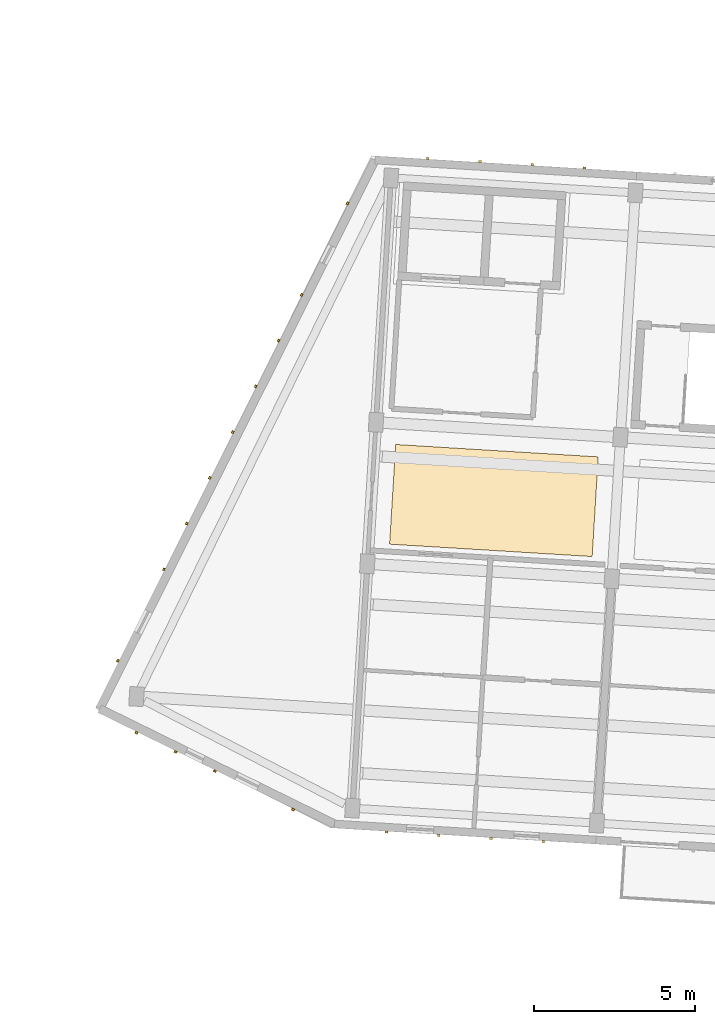
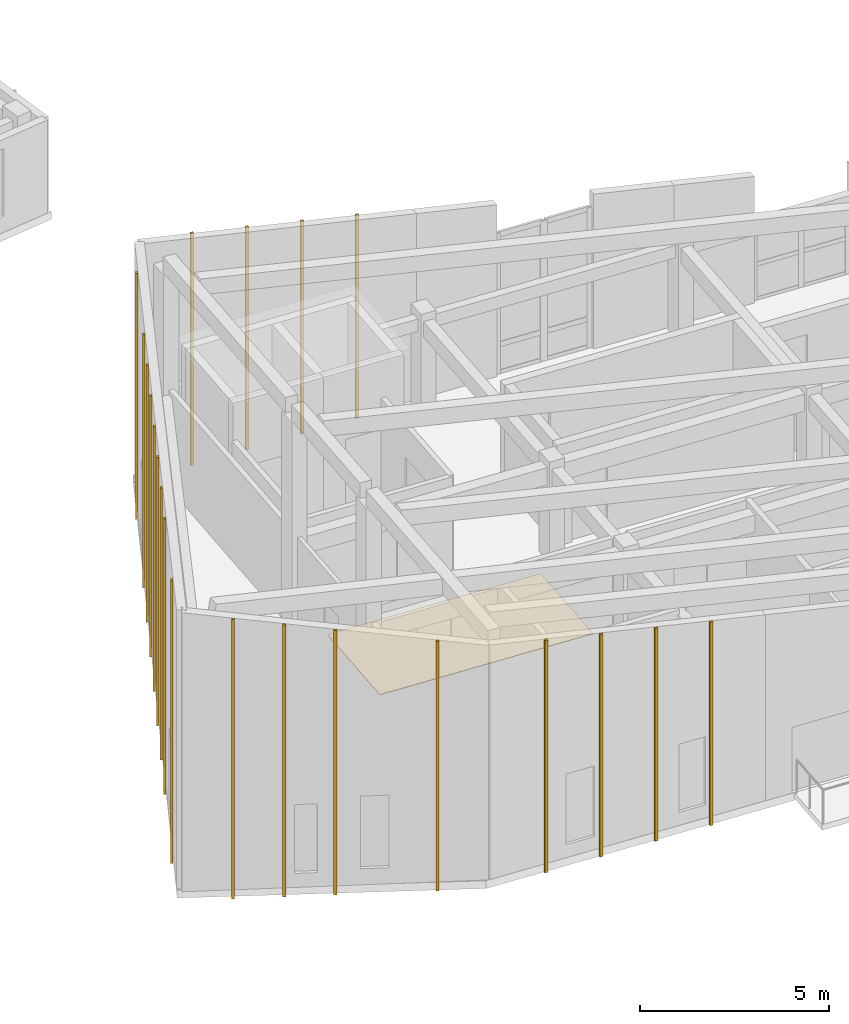
# One storey, part 30 of 45: 22 coverings.
"""IFC4 building model written with IfcOpenShell, lengths in metres."""

import ifcopenshell
import ifcopenshell.guid

model = None  # the IFC model being written
_history = None  # IfcOwnerHistory: only IFC2X3 demands one
_inside = {}  # id of a spatial element -> (the spatial element, [elements in it])
_under = {}  # id of a project, library or spatial element -> (it, [spatial elements below it])
_declared = {}  # id of a project -> (the project, [libraries it declares])
_typed = {}  # id of a type object -> (the type object, [elements of that type])
_made_of = {}  # id of a material, layer set ... -> (it, [elements and type objects made of it])


def new_model(schema):
    """Start an empty IFC model of exactly this schema.

    Asked for "IFC4X3", IfcOpenShell would pick the latest addendum, in which some entities
    have other attributes; the version numbers below select the first issue.
    IFC2X3 requires an IfcOwnerHistory on every rooted entity: one is made here for all.
    """
    global model, _history
    if schema == "IFC4X3":
        model = ifcopenshell.file(schema_version=(4, 3, 0, 0))
    else:
        model = ifcopenshell.file(schema=schema)
    _inside.clear()
    _under.clear()
    _declared.clear()
    _typed.clear()
    _made_of.clear()
    _history = None
    if model.schema == "IFC2X3":
        org = make("IfcOrganization", Name="unknown")
        user = make(
            "IfcPersonAndOrganization",
            ThePerson=make("IfcPerson", FamilyName="unknown"),
            TheOrganization=org,
        )
        app = make(
            "IfcApplication",
            ApplicationDeveloper=org,
            Version="unknown",
            ApplicationFullName="unknown",
            ApplicationIdentifier="unknown",
        )
        _history = make(
            "IfcOwnerHistory",
            OwningUser=user,
            OwningApplication=app,
            ChangeAction="ADDED",
            CreationDate=0,
        )
    return model


def make(cls, **values):
    """One entity of the class cls with the attributes given. An attribute that is None is left unset."""
    return model.create_entity(
        cls, **{name: value for name, value in values.items() if value is not None}
    )


def rooted(cls, **values):
    """An entity with a GlobalId (a new one), such as an element, a storey or a relation."""
    return make(cls, GlobalId=ifcopenshell.guid.new(), OwnerHistory=_history, **values)


def si_unit(unit_type, name, prefix=None):
    """IfcSIUnit, for example si_unit("LENGTHUNIT", "METRE", prefix="MILLI")."""
    return make("IfcSIUnit", UnitType=unit_type, Prefix=prefix, Name=name)


def assignment(units):
    """IfcUnitAssignment: the units of a project."""
    return None if units is None else make("IfcUnitAssignment", Units=units)


def point(xyz):
    """IfcCartesianPoint."""
    return None if xyz is None else make("IfcCartesianPoint", Coordinates=xyz)


def direction(xyz):
    """IfcDirection."""
    return None if xyz is None else make("IfcDirection", DirectionRatios=xyz)


def frame(location, z_axis=None, x_axis=None):
    """IfcAxis2Placement3D, a coordinate frame: its origin and axes. An axis left out is left unset."""
    return make(
        "IfcAxis2Placement3D",
        Location=point(location),
        Axis=direction(z_axis),
        RefDirection=direction(x_axis),
    )


def frame_2d(location, x_axis=None):
    """IfcAxis2Placement2D, a coordinate frame in the plane: its origin and x axis."""
    return make(
        "IfcAxis2Placement2D", Location=point(location), RefDirection=direction(x_axis)
    )


def origin():
    """The frame at (0, 0, 0) with its axes left unset."""
    return frame((0.0, 0.0, 0.0))


def origin_2d():
    """The frame at (0, 0) in the plane with its x axis left unset."""
    return frame_2d((0.0, 0.0))


def place(relative_to, where):
    """IfcLocalPlacement: puts the frame where relative to a parent placement (None: the world)."""
    return make(
        "IfcLocalPlacement", PlacementRelTo=relative_to, RelativePlacement=where
    )


def context(
    kind, dimensions, precision=None, world=None, true_north=None, identifier=None
):
    """IfcGeometricRepresentationContext, for example the 3D "Model" context."""
    return make(
        "IfcGeometricRepresentationContext",
        ContextIdentifier=identifier,
        ContextType=kind,
        CoordinateSpaceDimension=dimensions,
        Precision=precision,
        WorldCoordinateSystem=world,
        TrueNorth=true_north,
    )


def subcontext(parent, identifier, kind, view, scale=None):
    """IfcGeometricRepresentationSubContext, for example "Body" below "Model"."""
    return make(
        "IfcGeometricRepresentationSubContext",
        ContextIdentifier=identifier,
        ContextType=kind,
        ParentContext=parent,
        TargetScale=scale,
        TargetView=view,
    )


def project(units=None, contexts=None):
    """IfcProject with its units and contexts."""
    return rooted(
        "IfcProject",
        Name="project",
        RepresentationContexts=contexts,
        UnitsInContext=assignment(units),
    )


def spatial(cls, under=None, at=None, **own):
    """A site, building, storey or space (cls), placed at a placement, below another one or the project."""
    s = rooted(cls, ObjectPlacement=at, **own)
    if under is not None:
        _under.setdefault(under.id(), (under, []))[1].append(s)
    return s


def polyline(points):
    """IfcPolyline through the points."""
    return make("IfcPolyline", Points=[point(p) for p in points])


def profile(cls, at=None, kind="AREA", **sizes):
    """A parametric profile (cls). Its sizes go by their IFC names, for example OverallWidth=200.0."""
    return make(cls, ProfileType=kind, Position=at, **sizes)


def rectangle(**sizes):
    """IfcRectangleProfileDef."""
    return profile("IfcRectangleProfileDef", **sizes)


def outline(outer, holes=None, kind="AREA"):
    """IfcArbitraryClosedProfileDef: a profile drawn as a closed curve; with holes, ...WithVoids."""
    if holes is None:
        return make("IfcArbitraryClosedProfileDef", ProfileType=kind, OuterCurve=outer)
    return make(
        "IfcArbitraryProfileDefWithVoids",
        ProfileType=kind,
        OuterCurve=outer,
        InnerCurves=holes,
    )


def extrude(swept, where, along, depth):
    """IfcExtrudedAreaSolid: the profile swept, set in the frame where, extruded along a direction by depth."""
    return make(
        "IfcExtrudedAreaSolid",
        SweptArea=swept,
        Position=where,
        ExtrudedDirection=direction(along),
        Depth=depth,
    )


def shape(context_of_items, identifier, shape_type, items):
    """IfcShapeRepresentation: the items that make up one representation, for example the "Body"."""
    return make(
        "IfcShapeRepresentation",
        ContextOfItems=context_of_items,
        RepresentationIdentifier=identifier,
        RepresentationType=shape_type,
        Items=items,
    )


def material(Name=None, Category=None):
    """IfcMaterial."""
    return make("IfcMaterial", Name=Name, Category=Category)


def layer(
    of_material, thickness, ventilated=None, Name=None, Category=None, Priority=None
):
    """IfcMaterialLayer: one layer of a wall or slab, of a material (None: an air gap)."""
    return make(
        "IfcMaterialLayer",
        Material=of_material,
        LayerThickness=thickness,
        IsVentilated=ventilated,
        Name=Name,
        Category=Category,
        Priority=Priority,
    )


def layer_set(layers, Name=None):
    """IfcMaterialLayerSet."""
    return make("IfcMaterialLayerSet", MaterialLayers=layers, LayerSetName=Name)


def made_of(thing, what):
    """Note that an element or type object is made of a material, layer set ...; save() writes the relation."""
    if what is not None:
        _made_of.setdefault(what.id(), (what, []))[1].append(thing)
    return thing


def type_object(cls, material=None, **own):
    """A type object (cls), such as IfcWallType, which elements share."""
    return made_of(rooted(cls, **own), material)


def element(
    cls,
    number,
    at=None,
    inside=None,
    cuts=None,
    type_object=None,
    material=None,
    context=None,
    identifier="Body",
    shape_type=None,
    held_by="IfcProductDefinitionShape",
    body=None,
    shapes=None,
    **own,
):
    """One element of the class cls, such as IfcWall. Its Tag is "e" and its number.

    at: its placement. inside: the storey or other place that contains it. cuts: it is an
    opening in that element (IfcRelVoidsElement). A single representation is given by context,
    identifier, shape_type and body (its items); several are given by shapes. held_by: the class
    of the entity that holds the representations. save() writes the other relations.
    """
    e = rooted(cls, Tag="e%d" % number, ObjectPlacement=at, **own)
    if body is not None:
        shapes = [shape(context, identifier, shape_type, body)]
    if shapes is not None:
        e.Representation = make(held_by, Representations=shapes)
    if inside is not None:
        _inside.setdefault(inside.id(), (inside, []))[1].append(e)
    if cuts is not None:
        rooted(
            "IfcRelVoidsElement", RelatingBuildingElement=cuts, RelatedOpeningElement=e
        )
    if type_object is not None:
        _typed.setdefault(type_object.id(), (type_object, []))[1].append(e)
    return made_of(e, material)


def aggregate(whole, parts):
    """IfcRelAggregates: a whole, such as a stair, and the parts it consists of."""
    return rooted("IfcRelAggregates", RelatingObject=whole, RelatedObjects=parts)


def save(model, path):
    """Write the relations noted so far, then the file.

    IfcRelAggregates (storeys below a building ...), IfcRelContainedInSpatialStructure (elements
    in a storey), IfcRelDefinesByType, IfcRelAssociatesMaterial and IfcRelDeclares: one each for
    every whole, place, type object, material and project.
    """
    for whole, parts in _under.values():
        aggregate(whole, parts)
    for where, things in _inside.values():
        rooted(
            "IfcRelContainedInSpatialStructure",
            RelatedElements=things,
            RelatingStructure=where,
        )
    for kind, things in _typed.values():
        rooted("IfcRelDefinesByType", RelatedObjects=things, RelatingType=kind)
    for what, things in _made_of.values():
        rooted("IfcRelAssociatesMaterial", RelatedObjects=things, RelatingMaterial=what)
    for by, libraries in _declared.values():
        rooted("IfcRelDeclares", RelatingContext=by, RelatedDefinitions=libraries)
    model.write(path)


model = new_model("IFC4")

# Units and contexts
model_context = context("Model", 3, precision=1e-05, world=origin(), true_north=direction((0.0, 1.0)))
body_context = subcontext(model_context, "Body", "Model", "MODEL_VIEW")
ifc_project = project(units=[si_unit("LENGTHUNIT", "METRE"), si_unit("AREAUNIT", "SQUARE_METRE"), si_unit("VOLUMEUNIT", "CUBIC_METRE"), si_unit("PLANEANGLEUNIT", "RADIAN"), si_unit("MASSUNIT", "GRAM", prefix="KILO")], contexts=[model_context])

# Site, building, storey
site_placement = place(None, origin())
site = spatial("IfcSite", under=ifc_project, at=site_placement, CompositionType="ELEMENT")
building_placement = place(site_placement, origin())
building = spatial("IfcBuilding", under=site, at=building_placement, Name="Kestramere Prow Commons", CompositionType="ELEMENT")
storey_placement = place(building_placement, frame((0.0, 0.0, 31.14990234375)))
storey = spatial("IfcBuildingStorey", under=building, at=storey_placement, Name="L09", CompositionType="ELEMENT", Elevation=31.14990234375)

# Coverings
ifc_material_1 = material(Name="Weathered Zinc-Titanium Standing-Seam Cladding")
ifc_layer_1 = layer(ifc_material_1, 0.074951171875)
ifc_layer_set_1 = layer_set([ifc_layer_1], Name="Weathered Zinc-Titanium Standing-Seam Cladding")
covering_type_1 = type_object("IfcCoveringType", Name="COV-CLAD-SEAM", PredefinedType="CLADDING", material=ifc_layer_set_1)
covering_1_placement = place(storey_placement, frame((65.422607421875, 45.458984375, -0.25), z_axis=(0.0, 0.0, 1.0), x_axis=(-0.998134798422, 0.061048539535, 0.0)))
element("IfcCovering", 1, at=covering_1_placement, inside=storey, type_object=covering_type_1, Name="EW-C-L09-S-0 Standing-Seam Rib 1", PredefinedType="CLADDING", context=body_context, shape_type="SweptSolid", body=[
    extrude(rectangle(XDim=0.0849609375, YDim=0.06494140625, at=origin_2d()), origin(), (0.0, 0.0, 1.0), 6.560546875),
])
covering_2_placement = place(storey_placement, frame((63.800537109375, 45.55810546875, -0.249755859375), z_axis=(0.0, 0.0, 1.0), x_axis=(-0.998134798422, 0.061048539535, 0.0)))
element("IfcCovering", 2, at=covering_2_placement, inside=storey, type_object=covering_type_1, Name="EW-C-L09-S-0 Standing-Seam Rib 2", PredefinedType="CLADDING", context=body_context, shape_type="SweptSolid", body=[
    extrude(rectangle(XDim=0.0849609375, YDim=0.06494140625, at=origin_2d()), origin(), (0.0, 0.0, 1.0), 6.873046875),
])
covering_3_placement = place(storey_placement, frame((62.178466796875, 45.657470703125, -0.25), z_axis=(0.0, 0.0, 1.0), x_axis=(-0.998134798422, 0.061048539535, 0.0)))
element("IfcCovering", 3, at=covering_3_placement, inside=storey, type_object=covering_type_1, Name="EW-C-L09-S-0 Standing-Seam Rib 3", PredefinedType="CLADDING", context=body_context, shape_type="SweptSolid", body=[
    extrude(rectangle(XDim=0.0849609375, YDim=0.06494140625, at=origin_2d()), origin(), (0.0, 0.0, 1.0), 7.185791015625),
])
for number, where, z_axis, x_axis, name in (
    (4, (60.556640625, 45.756591796875, -0.25), (0.0, 0.0, 1.0), (-0.998134798422, 0.061048539535, 0.0), "EW-C-L09-S-0 Standing-Seam Rib 4"),
    (5, (61.8359375, 66.672607421875, -0.25), (0.0, 0.0, 1.0), (0.998134798422, -0.061048539535, 0.0), "EW-C-L09-N-0 Standing-Seam Rib 1"),
):
    element("IfcCovering", number, at=place(storey_placement, frame(where, z_axis=z_axis, x_axis=x_axis)), inside=storey, type_object=covering_type_1, Name=name, PredefinedType="CLADDING", context=body_context, shape_type="SweptSolid", body=[
        extrude(rectangle(XDim=0.0849609375, YDim=0.06494140625, at=origin_2d()), origin(), (0.0, 0.0, 1.0), 7.498291015625),
    ])
covering_4_placement = place(storey_placement, frame((63.457763671875, 66.5732421875, -0.25), z_axis=(0.0, 0.0, 1.0), x_axis=(0.998134798422, -0.061048539535, 0.0)))
element("IfcCovering", 6, at=covering_4_placement, inside=storey, type_object=covering_type_1, Name="EW-C-L09-N-0 Standing-Seam Rib 2", PredefinedType="CLADDING", context=body_context, shape_type="SweptSolid", body=[
    extrude(rectangle(XDim=0.0849609375, YDim=0.06494140625, at=origin_2d()), origin(), (0.0, 0.0, 1.0), 7.185791015625),
])
covering_5_placement = place(storey_placement, frame((65.079833984375, 66.47412109375, -0.249755859375), z_axis=(0.0, 0.0, 1.0), x_axis=(0.998134798422, -0.061048539535, 0.0)))
element("IfcCovering", 7, at=covering_5_placement, inside=storey, type_object=covering_type_1, Name="EW-C-L09-N-0 Standing-Seam Rib 3", PredefinedType="CLADDING", context=body_context, shape_type="SweptSolid", body=[
    extrude(rectangle(XDim=0.0849609375, YDim=0.06494140625, at=origin_2d()), origin(), (0.0, 0.0, 1.0), 6.873046875),
])
covering_6_placement = place(storey_placement, frame((66.70166015625, 66.375, -0.25), z_axis=(0.0, 0.0, 1.0), x_axis=(0.998134798422, -0.061048539535, 0.0)))
element("IfcCovering", 8, at=covering_6_placement, inside=storey, type_object=covering_type_1, Name="EW-C-L09-N-0 Standing-Seam Rib 4", PredefinedType="CLADDING", context=body_context, shape_type="SweptSolid", body=[
    extrude(rectangle(XDim=0.0849609375, YDim=0.06494140625, at=origin_2d()), origin(), (0.0, 0.0, 1.0), 6.560546875),
])
covering_7_placement = place(storey_placement, frame((57.6572265625, 46.458251953125, -0.25), z_axis=(0.0, 0.0, 1.0), x_axis=(-0.897770965065, 0.440462591245, 0.0)))
element("IfcCovering", 9, at=covering_7_placement, inside=storey, type_object=covering_type_1, Name="EW-C-L09-PRW-S Standing-Seam Rib 1", PredefinedType="CLADDING", context=body_context, shape_type="SweptSolid", body=[
    extrude(rectangle(XDim=0.0849609375, YDim=0.06494140625, at=origin_2d()), origin(), (0.0, 0.0, 1.0), 8.051513671875),
])
covering_8_placement = place(storey_placement, frame((55.227294921875, 47.650390625, -0.25), z_axis=(0.0, 0.0, 1.0), x_axis=(-0.897770965065, 0.440462591245, 0.0)))
element("IfcCovering", 10, at=covering_8_placement, inside=storey, type_object=covering_type_1, Name="EW-C-L09-PRW-S Standing-Seam Rib 3", PredefinedType="CLADDING", context=body_context, shape_type="SweptSolid", body=[
    extrude(rectangle(XDim=0.0849609375, YDim=0.06494140625, at=origin_2d()), origin(), (0.0, 0.0, 1.0), 8.5322265625),
])
covering_9_placement = place(storey_placement, frame((54.01220703125, 48.24658203125, -0.25), z_axis=(0.0, 0.0, 1.0), x_axis=(-0.897770965065, 0.440462591245, 0.0)))
element("IfcCovering", 11, at=covering_9_placement, inside=storey, type_object=covering_type_1, Name="EW-C-L09-PRW-S Standing-Seam Rib 4", PredefinedType="CLADDING", context=body_context, shape_type="SweptSolid", body=[
    extrude(rectangle(XDim=0.0849609375, YDim=0.06494140625, at=origin_2d()), origin(), (0.0, 0.0, 1.0), 8.772705078125),
])
covering_10_placement = place(storey_placement, frame((52.797119140625, 48.8427734375, -0.25), z_axis=(0.0, 0.0, 1.0), x_axis=(-0.897770965065, 0.440462591245, 0.0)))
element("IfcCovering", 12, at=covering_10_placement, inside=storey, type_object=covering_type_1, Name="EW-C-L09-PRW-S Standing-Seam Rib 5", PredefinedType="CLADDING", context=body_context, shape_type="SweptSolid", body=[
    extrude(rectangle(XDim=0.0849609375, YDim=0.06494140625, at=origin_2d()), origin(), (0.0, 0.0, 1.0), 9.012939453125),
])
covering_11_placement = place(storey_placement, frame((52.220947265625, 51.0771484375, -0.25), z_axis=(0.0, 0.0, 1.0), x_axis=(0.448620327542, 0.893722441095, 0.0)))
element("IfcCovering", 13, at=covering_11_placement, inside=storey, type_object=covering_type_1, Name="EW-C-L09-PRW-N Standing-Seam Rib 1", PredefinedType="CLADDING", context=body_context, shape_type="SweptSolid", body=[
    extrude(rectangle(XDim=0.0849609375, YDim=0.06494140625, at=origin_2d()), origin(), (0.0, 0.0, 1.0), 9.133056640625),
])
covering_12_placement = place(storey_placement, frame((53.646240234375, 53.916259765625, -0.249755859375), z_axis=(0.0, 0.0, 1.0), x_axis=(0.448620327542, 0.893722441095, 0.0)))
element("IfcCovering", 14, at=covering_12_placement, inside=storey, type_object=covering_type_1, Name="EW-C-L09-PRW-N Standing-Seam Rib 3", PredefinedType="CLADDING", context=body_context, shape_type="SweptSolid", body=[
    extrude(rectangle(XDim=0.0849609375, YDim=0.06494140625, at=origin_2d()), origin(), (0.0, 0.0, 1.0), 8.892578125),
])
covering_13_placement = place(storey_placement, frame((54.358642578125, 55.3359375, -0.25), z_axis=(0.0, 0.0, 1.0), x_axis=(0.448620327542, 0.893722441095, 0.0)))
element("IfcCovering", 15, at=covering_13_placement, inside=storey, type_object=covering_type_1, Name="EW-C-L09-PRW-N Standing-Seam Rib 4", PredefinedType="CLADDING", context=body_context, shape_type="SweptSolid", body=[
    extrude(rectangle(XDim=0.0849609375, YDim=0.06494140625, at=origin_2d()), origin(), (0.0, 0.0, 1.0), 8.772705078125),
])
covering_14_placement = place(storey_placement, frame((55.0712890625, 56.75537109375, -0.249755859375), z_axis=(0.0, 0.0, 1.0), x_axis=(0.448620327542, 0.893722441095, 0.0)))
element("IfcCovering", 16, at=covering_14_placement, inside=storey, type_object=covering_type_1, Name="EW-C-L09-PRW-N Standing-Seam Rib 5", PredefinedType="CLADDING", context=body_context, shape_type="SweptSolid", body=[
    extrude(rectangle(XDim=0.0849609375, YDim=0.06494140625, at=origin_2d()), origin(), (0.0, 0.0, 1.0), 8.65234375),
])
covering_15_placement = place(storey_placement, frame((55.783935546875, 58.175048828125, -0.25), z_axis=(0.0, 0.0, 1.0), x_axis=(0.448620327542, 0.893722441095, 0.0)))
element("IfcCovering", 17, at=covering_15_placement, inside=storey, type_object=covering_type_1, Name="EW-C-L09-PRW-N Standing-Seam Rib 6", PredefinedType="CLADDING", context=body_context, shape_type="SweptSolid", body=[
    extrude(rectangle(XDim=0.0849609375, YDim=0.06494140625, at=origin_2d()), origin(), (0.0, 0.0, 1.0), 8.5322265625),
])
covering_16_placement = place(storey_placement, frame((56.49658203125, 59.594482421875, -0.25), z_axis=(0.0, 0.0, 1.0), x_axis=(0.448620327542, 0.893722441095, 0.0)))
element("IfcCovering", 18, at=covering_16_placement, inside=storey, type_object=covering_type_1, Name="EW-C-L09-PRW-N Standing-Seam Rib 7", PredefinedType="CLADDING", context=body_context, shape_type="SweptSolid", body=[
    extrude(rectangle(XDim=0.0849609375, YDim=0.06494140625, at=origin_2d()), origin(), (0.0, 0.0, 1.0), 8.412109375),
])
covering_17_placement = place(storey_placement, frame((57.208984375, 61.01416015625, -0.25), z_axis=(0.0, 0.0, 1.0), x_axis=(0.448620327542, 0.893722441095, 0.0)))
element("IfcCovering", 19, at=covering_17_placement, inside=storey, type_object=covering_type_1, Name="EW-C-L09-PRW-N Standing-Seam Rib 8", PredefinedType="CLADDING", context=body_context, shape_type="SweptSolid", body=[
    extrude(rectangle(XDim=0.0849609375, YDim=0.06494140625, at=origin_2d()), origin(), (0.0, 0.0, 1.0), 8.291748046875),
])
covering_18_placement = place(storey_placement, frame((57.921630859375, 62.433837890625, -0.25), z_axis=(0.0, 0.0, 1.0), x_axis=(0.448620327542, 0.893722441095, 0.0)))
element("IfcCovering", 20, at=covering_18_placement, inside=storey, type_object=covering_type_1, Name="EW-C-L09-PRW-N Standing-Seam Rib 9", PredefinedType="CLADDING", context=body_context, shape_type="SweptSolid", body=[
    extrude(rectangle(XDim=0.0849609375, YDim=0.06494140625, at=origin_2d()), origin(), (0.0, 0.0, 1.0), 8.171630859375),
])
covering_19_placement = place(storey_placement, frame((59.3466796875, 65.27294921875, -0.25), z_axis=(0.0, 0.0, 1.0), x_axis=(0.448620327542, 0.893722441095, 0.0)))
element("IfcCovering", 21, at=covering_19_placement, inside=storey, type_object=covering_type_1, Name="EW-C-L09-PRW-N Standing-Seam Rib 11", PredefinedType="CLADDING", context=body_context, shape_type="SweptSolid", body=[
    extrude(rectangle(XDim=0.0849609375, YDim=0.06494140625, at=origin_2d()), origin(), (0.0, 0.0, 1.0), 7.931396484375),
])
ifc_material_2 = material(Name="Honed Cementitious Terrazzo Tile")
ifc_layer_2 = layer(ifc_material_2, 0.02001953125)
ifc_layer_set_2 = layer_set([ifc_layer_2], Name="Honed Cementitious Terrazzo Tile")
covering_type_2 = type_object("IfcCoveringType", Name="COV-FLOOR-TERRAZZO", PredefinedType="FLOORING", material=ifc_layer_set_2)
covering_20_placement = place(storey_placement, origin())
element("IfcCovering", 22, at=covering_20_placement, inside=storey, type_object=covering_type_2, Name="Block C L09 Corridor Terrazzo Flooring 1", PredefinedType="FLOORING", context=body_context, shape_type="SweptSolid", body=[
    extrude(outline(polyline([(60.65234375, 54.69482421875), (66.940673828125, 54.310302734375), (67.1298828125, 57.404541015625), (60.841796875, 57.7890625), (60.65234375, 54.69482421875)])), origin(), (0.0, 0.0, 1.0), 0.02001953125),
])

save(model, "model.ifc")
